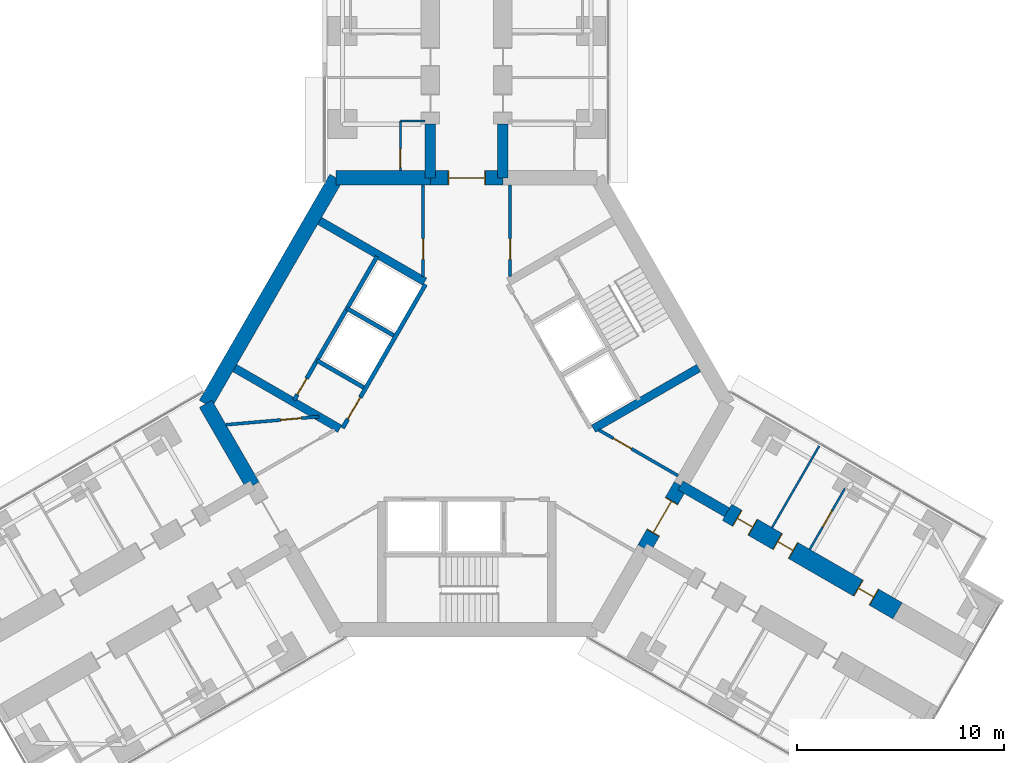
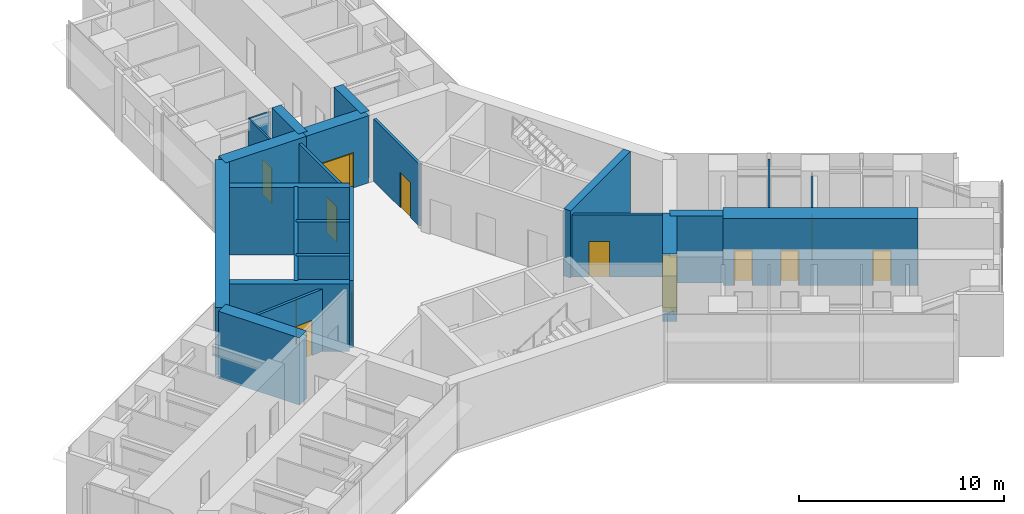
# One storey, part 21 of 25: 24 walls, 13 doors, 13 openings.
"""IFC4 building model written with IfcOpenShell, lengths in metres."""

from ifc_helpers import new_model, si_unit, direction, frame, frame_2d, origin, place, context, subcontext, project, spatial, rectangle, extrude, material, layer, layer_set, type_object, element, fill, save


model = new_model("IFC4")

# Units and contexts
model_context = context("Model", 3, precision=1e-05, world=origin(), true_north=direction((0.0, 1.0)))
body_context = subcontext(model_context, "Body", "Model", "MODEL_VIEW")
ifc_project = project(units=[si_unit("LENGTHUNIT", "METRE"), si_unit("AREAUNIT", "SQUARE_METRE"), si_unit("VOLUMEUNIT", "CUBIC_METRE"), si_unit("PLANEANGLEUNIT", "RADIAN"), si_unit("MASSUNIT", "GRAM", prefix="KILO")], contexts=[model_context])

# Site, building, storey
site_placement = place(None, origin())
site = spatial("IfcSite", under=ifc_project, at=site_placement, CompositionType="ELEMENT")
building_placement = place(site_placement, origin())
building = spatial("IfcBuilding", under=site, at=building_placement, Name="Upepo Twin Towers", CompositionType="ELEMENT")
storey_placement = place(building_placement, frame((0.0, 0.0, 88.5)))
storey = spatial("IfcBuildingStorey", under=building, at=storey_placement, Name="L21", CompositionType="ELEMENT", Elevation=88.5)

# Walls
ifc_material_1 = material(Name="Concrete C60/75", Category="concrete")
ifc_layer_1 = layer(ifc_material_1, 0.5)
ifc_layer_set_1 = layer_set([ifc_layer_1], Name="Concrete C60/75")
wall_type_1 = type_object("IfcWallType", Name="Buttress wall 500 RC", PredefinedType="SHEAR", material=ifc_layer_set_1)
for number, where, z_axis, x_axis, name in (
    (1, (56.75, -7.091552734375, 0.0), (0.0, 0.0, 1.0), (0.0, 1.0, 0.0), "T2 wing A buttress wall L"),
    (2, (60.25, -7.091552734375, 0.0), (0.0, 0.0, 1.0), (0.0, 1.0, 0.0), "T2 wing A buttress wall R"),
):
    element("IfcWall", number, at=place(storey_placement, frame(where, z_axis=z_axis, x_axis=x_axis)), inside=storey, type_object=wall_type_1, Name=name, PredefinedType="SHEAR", context=body_context, shape_type="SweptSolid", body=[
        extrude(rectangle(XDim=2.591552734375, YDim=0.5, at=frame_2d((1.2958984375, 0.0))), origin(), (0.0, 0.0, 1.0), 4.0),
    ])
wall_1_placement = place(storey_placement, frame((68.82177734375, -21.938720703125, 0.0), z_axis=(0.0, 0.0, 1.0), x_axis=(0.866072649678, -0.499918158782, 0.0)))
element("IfcWall", 3, at=wall_1_placement, inside=storey, type_object=wall_type_1, Name="T2 wing C buttress wall L", PredefinedType="SHEAR", context=body_context, shape_type="SweptSolid", body=[
    extrude(rectangle(XDim=2.591796875, YDim=0.5, at=frame_2d((1.2958984375, 0.0))), origin(), (0.0, 0.0, 1.0), 4.0),
])

# Wall, openings, doors
ifc_material_2 = material(Name="Concrete C60/75", Category="concrete")
ifc_layer_2 = layer(ifc_material_2, 0.89990234375)
ifc_layer_set_2 = layer_set([ifc_layer_2], Name="Concrete C60/75")
wall_type_2 = type_object("IfcWallType", Name="Buttress wall 900 RC", PredefinedType="SHEAR", material=ifc_layer_set_2)
wall_2_placement = place(storey_placement, frame((71.06640625, -23.234375, 0.0), z_axis=(0.0, 0.0, 1.0), x_axis=(0.86602681393, -0.499997557548, 0.0)))
wall_2 = element("IfcWall", 4, at=wall_2_placement, inside=storey, type_object=wall_type_2, Name="T2 wing C buttress wall L part 2", PredefinedType="SHEAR", context=body_context, shape_type="SweptSolid", body=[
    extrude(rectangle(XDim=9.5, YDim=0.89990234375, at=frame_2d((4.75, 0.0))), origin(), (0.0, 0.0, 1.0), 4.0),
])
opening_1_placement = place(wall_2_placement, frame((0.550048828125, 0.0, 0.0)))
opening_1 = element("IfcOpeningElement", 5, at=opening_1_placement, cuts=wall_2, Name="Opening D14", PredefinedType="OPENING", context=body_context, shape_type="SweptSolid", body=[
    extrude(rectangle(XDim=0.89990234375, YDim=2.10009765625, at=frame_2d((0.449951171875, 1.050048828125))), frame((0.0, 0.4599609375, 0.0), z_axis=(0.0, -1.0, 0.0), x_axis=(1.0, 0.0, 0.0)), (0.0, 0.0, 1.0), 0.919921875),
])
opening_2_placement = place(wall_2_placement, frame((2.800048828125, 0.0, 0.0)))
opening_2 = element("IfcOpeningElement", 6, at=opening_2_placement, cuts=wall_2, Name="Opening D14", PredefinedType="OPENING", context=body_context, shape_type="SweptSolid", body=[
    extrude(rectangle(XDim=0.89990234375, YDim=2.10009765625, at=frame_2d((0.449951171875, 1.050048828125))), frame((0.0, 0.4599609375, 0.0), z_axis=(0.0, -1.0, 0.0), x_axis=(1.0, 0.0, 0.0)), (0.0, 0.0, 1.0), 0.919921875),
])
opening_3_placement = place(wall_2_placement, frame((7.300048828125, 0.0, 0.0)))
opening_3 = element("IfcOpeningElement", 7, at=opening_3_placement, cuts=wall_2, Name="Opening D14", PredefinedType="OPENING", context=body_context, shape_type="SweptSolid", body=[
    extrude(rectangle(XDim=0.89990234375, YDim=2.10009765625, at=frame_2d((0.449951171875, 1.050048828125))), frame((0.0, 0.4599609375, 0.0), z_axis=(0.0, -1.0, 0.0), x_axis=(1.0, 0.0, 0.0)), (0.0, 0.0, 1.0), 0.919921875),
])
ifc_material_3 = material(Name="Timber doorset", Category="wood")
door_type_1 = type_object("IfcDoorType", Name="Office door 900 FD30", OperationType="SINGLE_SWING_LEFT", PredefinedType="DOOR", material=ifc_material_3)
door_1_placement = place(opening_1_placement, origin())
door_1 = element("IfcDoor", 8, at=door_1_placement, inside=storey, type_object=door_type_1, Name="T2 L21 staff office door", OperationType="SINGLE_SWING_LEFT", OverallHeight=2.10009765625, OverallWidth=0.89990234375, PredefinedType="DOOR", context=body_context, shape_type="SweptSolid", body=[
    extrude(rectangle(XDim=0.81990234375, YDim=2.06009765625, at=frame_2d((0.449951171875, 1.030029296875))), frame((0.0, 0.02490234375, 0.0), z_axis=(0.0, -1.0, 0.0), x_axis=(1.0, 0.0, 0.0)), (0.0, 0.0, 1.0), 0.050048828125),
    extrude(rectangle(XDim=0.04, YDim=2.10009765625, at=frame_2d((0.02001953125, 1.050048828125))), frame((0.0, 0.44970703125, 0.0), z_axis=(0.0, -1.0, 0.0), x_axis=(1.0, 0.0, 0.0)), (0.0, 0.0, 1.0), 0.8994140625),
    extrude(rectangle(XDim=0.04, YDim=2.10009765625, at=frame_2d((0.8798828125, 1.050048828125))), frame((0.0, 0.44970703125, 0.0), z_axis=(0.0, -1.0, 0.0), x_axis=(1.0, 0.0, 0.0)), (0.0, 0.0, 1.0), 0.8994140625),
    extrude(rectangle(XDim=0.81990234375, YDim=0.04, at=frame_2d((0.449951171875, 2.080078125))), frame((0.0, 0.44970703125, 0.0), z_axis=(0.0, -1.0, 0.0), x_axis=(1.0, 0.0, 0.0)), (0.0, 0.0, 1.0), 0.8994140625),
])
fill(opening_1, door_1)
door_2_placement = place(opening_2_placement, origin())
door_2 = element("IfcDoor", 9, at=door_2_placement, inside=storey, type_object=door_type_1, Name="T2 L21 postgraduate office door", OperationType="SINGLE_SWING_LEFT", OverallHeight=2.10009765625, OverallWidth=0.89990234375, PredefinedType="DOOR", context=body_context, shape_type="SweptSolid", body=[
    extrude(rectangle(XDim=0.81990234375, YDim=2.06009765625, at=frame_2d((0.449951171875, 1.030029296875))), frame((0.0, 0.02490234375, 0.0), z_axis=(0.0, -1.0, 0.0), x_axis=(1.0, 0.0, 0.0)), (0.0, 0.0, 1.0), 0.050048828125),
    extrude(rectangle(XDim=0.04, YDim=2.10009765625, at=frame_2d((0.02001953125, 1.050048828125))), frame((0.0, 0.44970703125, 0.0), z_axis=(0.0, -1.0, 0.0), x_axis=(1.0, 0.0, 0.0)), (0.0, 0.0, 1.0), 0.8994140625),
    extrude(rectangle(XDim=0.04, YDim=2.10009765625, at=frame_2d((0.8798828125, 1.050048828125))), frame((0.0, 0.44970703125, 0.0), z_axis=(0.0, -1.0, 0.0), x_axis=(1.0, 0.0, 0.0)), (0.0, 0.0, 1.0), 0.8994140625),
    extrude(rectangle(XDim=0.81990234375, YDim=0.04, at=frame_2d((0.449951171875, 2.080078125))), frame((0.0, 0.44970703125, 0.0), z_axis=(0.0, -1.0, 0.0), x_axis=(1.0, 0.0, 0.0)), (0.0, 0.0, 1.0), 0.8994140625),
])
fill(opening_2, door_2)
door_3_placement = place(opening_3_placement, origin())
door_3 = element("IfcDoor", 10, at=door_3_placement, inside=storey, type_object=door_type_1, Name="T2 L21 staff office door", OperationType="SINGLE_SWING_RIGHT", OverallHeight=2.10009765625, OverallWidth=0.89990234375, PredefinedType="DOOR", context=body_context, shape_type="SweptSolid", body=[
    extrude(rectangle(XDim=0.81990234375, YDim=2.06009765625, at=frame_2d((0.449951171875, 1.030029296875))), frame((0.0, 0.02490234375, 0.0), z_axis=(0.0, -1.0, 0.0), x_axis=(1.0, 0.0, 0.0)), (0.0, 0.0, 1.0), 0.050048828125),
    extrude(rectangle(XDim=0.04, YDim=2.10009765625, at=frame_2d((0.02001953125, 1.050048828125))), frame((0.0, 0.44970703125, 0.0), z_axis=(0.0, -1.0, 0.0), x_axis=(1.0, 0.0, 0.0)), (0.0, 0.0, 1.0), 0.8994140625),
    extrude(rectangle(XDim=0.04, YDim=2.10009765625, at=frame_2d((0.8798828125, 1.050048828125))), frame((0.0, 0.44970703125, 0.0), z_axis=(0.0, -1.0, 0.0), x_axis=(1.0, 0.0, 0.0)), (0.0, 0.0, 1.0), 0.8994140625),
    extrude(rectangle(XDim=0.81990234375, YDim=0.04, at=frame_2d((0.449951171875, 2.080078125))), frame((0.0, 0.44970703125, 0.0), z_axis=(0.0, -1.0, 0.0), x_axis=(1.0, 0.0, 0.0)), (0.0, 0.0, 1.0), 0.8994140625),
])
fill(opening_3, door_3)

# Wall, opening, door
ifc_material_4 = material(Name="Concrete C60/75", Category="concrete")
ifc_layer_3 = layer(ifc_material_4, 0.699951171875)
ifc_layer_set_3 = layer_set([ifc_layer_3], Name="Concrete C60/75")
wall_type_3 = type_object("IfcWallType", Name="Core wall 700 RC", PredefinedType="SHEAR", material=ifc_layer_set_3)
wall_3_placement = place(storey_placement, frame((60.25, -7.091552734375, 0.0), z_axis=(0.0, 0.0, 1.0), x_axis=(-1.0, 0.0, 0.0)))
wall_3 = element("IfcWall", 11, at=wall_3_placement, inside=storey, type_object=wall_type_3, Name="T2 core wall 000", PredefinedType="SHEAR", context=body_context, shape_type="SweptSolid", body=[
    extrude(rectangle(XDim=3.5, YDim=0.699951171875, at=frame_2d((1.75, 0.0))), origin(), (0.0, 0.0, 1.0), 4.0),
])
opening_4_placement = place(wall_3_placement, frame((0.85009765625, 0.0, 0.0)))
opening_4 = element("IfcOpeningElement", 12, at=opening_4_placement, cuts=wall_3, Name="Opening D2", PredefinedType="OPENING", context=body_context, shape_type="SweptSolid", body=[
    extrude(rectangle(XDim=1.800048828125, YDim=2.10009765625, at=frame_2d((0.89990234375, 1.050048828125))), frame((0.0, 0.35986328125, 0.0), z_axis=(0.0, -1.0, 0.0), x_axis=(1.0, 0.0, 0.0)), (0.0, 0.0, 1.0), 0.719970703125),
])
ifc_material_5 = material(Name="Timber doorset", Category="wood")
door_type_2 = type_object("IfcDoorType", Name="Corridor double door 1800 FD60", OperationType="DOUBLE_DOOR_DOUBLE_SWING", PredefinedType="DOOR", material=ifc_material_5)
door_4_placement = place(opening_4_placement, origin())
door_4 = element("IfcDoor", 13, at=door_4_placement, inside=storey, type_object=door_type_2, Name="T2 L21 wing A corridor door", OperationType="DOUBLE_DOOR_DOUBLE_SWING", OverallHeight=2.10009765625, OverallWidth=1.800048828125, PredefinedType="DOOR", context=body_context, shape_type="SweptSolid", body=[
    extrude(rectangle(XDim=1.720048828125, YDim=2.06009765625, at=frame_2d((0.89990234375, 1.030029296875))), frame((0.0, 0.02490234375, 0.0), z_axis=(0.0, -1.0, 0.0), x_axis=(1.0, 0.0, 0.0)), (0.0, 0.0, 1.0), 0.050048828125),
    extrude(rectangle(XDim=0.04, YDim=2.10009765625, at=frame_2d((0.02001953125, 1.050048828125))), frame((0.0, 0.349609375, 0.0), z_axis=(0.0, -1.0, 0.0), x_axis=(1.0, 0.0, 0.0)), (0.0, 0.0, 1.0), 0.699462890625),
    extrude(rectangle(XDim=0.04, YDim=2.10009765625, at=frame_2d((1.780029296875, 1.050048828125))), frame((0.0, 0.349609375, 0.0), z_axis=(0.0, -1.0, 0.0), x_axis=(1.0, 0.0, 0.0)), (0.0, 0.0, 1.0), 0.699462890625),
    extrude(rectangle(XDim=1.720048828125, YDim=0.04, at=frame_2d((0.89990234375, 2.080078125))), frame((0.0, 0.349609375, 0.0), z_axis=(0.0, -1.0, 0.0), x_axis=(1.0, 0.0, 0.0)), (0.0, 0.0, 1.0), 0.699462890625),
])
fill(opening_4, door_4)

# Walls
wall_4_placement = place(storey_placement, frame((56.75, -7.091552734375, 0.0), z_axis=(0.0, 0.0, 1.0), x_axis=(-1.0, 0.0, 0.0)))
element("IfcWall", 14, at=wall_4_placement, inside=storey, type_object=wall_type_3, Name="T2 core wall 000 L", PredefinedType="SHEAR", context=body_context, shape_type="SweptSolid", body=[
    extrude(rectangle(XDim=4.5478515625, YDim=0.699951171875, at=frame_2d((2.27392578125, 0.0))), origin(), (0.0, 0.0, 1.0), 4.0),
])
wall_5_placement = place(storey_placement, frame((52.2021484375, -7.091552734375, 0.0), z_axis=(0.0, 0.0, 1.0), x_axis=(-0.500005998175, -0.866021940709, 0.0)))
element("IfcWall", 15, at=wall_5_placement, inside=storey, type_object=wall_type_3, Name="T2 core wall 060", PredefinedType="SHEAR", context=body_context, shape_type="SweptSolid", body=[
    extrude(rectangle(XDim=12.595947265625, YDim=0.699951171875, at=frame_2d((6.2978515625, 0.0))), origin(), (0.0, 0.0, 1.0), 4.0),
])
wall_6_placement = place(storey_placement, frame((45.904052734375, -18.0, 0.0), z_axis=(0.0, 0.0, 1.0), x_axis=(0.500024481964, -0.866011268655, 0.0)))
element("IfcWall", 16, at=wall_6_placement, inside=storey, type_object=wall_type_3, Name="T2 core wall 120 R", PredefinedType="SHEAR", context=body_context, shape_type="SweptSolid", body=[
    extrude(rectangle(XDim=4.548095703125, YDim=0.699951171875, at=frame_2d((2.27392578125, 0.0))), origin(), (0.0, 0.0, 1.0), 4.0),
])

# Wall, opening, door
wall_7_placement = place(storey_placement, frame((67.07177734375, -24.9697265625, 0.0), z_axis=(0.0, 0.0, 1.0), x_axis=(0.500010275428, 0.866019471182, 0.0)))
wall_7 = element("IfcWall", 17, at=wall_7_placement, inside=storey, type_object=wall_type_3, Name="T2 core wall 240", PredefinedType="SHEAR", context=body_context, shape_type="SweptSolid", body=[
    extrude(rectangle(XDim=3.5, YDim=0.699951171875, at=frame_2d((1.75, 0.0))), origin(), (0.0, 0.0, 1.0), 4.0),
])
opening_5_placement = place(wall_7_placement, frame((0.85009765625, 0.0, 0.0)))
opening_5 = element("IfcOpeningElement", 18, at=opening_5_placement, cuts=wall_7, Name="Opening D2", PredefinedType="OPENING", context=body_context, shape_type="SweptSolid", body=[
    extrude(rectangle(XDim=1.800048828125, YDim=2.10009765625, at=frame_2d((0.89990234375, 1.050048828125))), frame((0.0, 0.35986328125, 0.0), z_axis=(0.0, -1.0, 0.0), x_axis=(1.0, 0.0, 0.0)), (0.0, 0.0, 1.0), 0.719970703125),
])
door_5_placement = place(opening_5_placement, origin())
door_5 = element("IfcDoor", 19, at=door_5_placement, inside=storey, type_object=door_type_2, Name="T2 L21 wing C corridor door", OperationType="DOUBLE_DOOR_DOUBLE_SWING", OverallHeight=2.10009765625, OverallWidth=1.800048828125, PredefinedType="DOOR", context=body_context, shape_type="SweptSolid", body=[
    extrude(rectangle(XDim=1.720048828125, YDim=2.06009765625, at=frame_2d((0.89990234375, 1.030029296875))), frame((0.0, 0.02490234375, 0.0), z_axis=(0.0, -1.0, 0.0), x_axis=(1.0, 0.0, 0.0)), (0.0, 0.0, 1.0), 0.050048828125),
    extrude(rectangle(XDim=0.04, YDim=2.10009765625, at=frame_2d((0.02001953125, 1.050048828125))), frame((0.0, 0.349609375, 0.0), z_axis=(0.0, -1.0, 0.0), x_axis=(1.0, 0.0, 0.0)), (0.0, 0.0, 1.0), 0.699462890625),
    extrude(rectangle(XDim=0.04, YDim=2.10009765625, at=frame_2d((1.780029296875, 1.050048828125))), frame((0.0, 0.349609375, 0.0), z_axis=(0.0, -1.0, 0.0), x_axis=(1.0, 0.0, 0.0)), (0.0, 0.0, 1.0), 0.699462890625),
    extrude(rectangle(XDim=1.720048828125, YDim=0.04, at=frame_2d((0.89990234375, 2.080078125))), frame((0.0, 0.349609375, 0.0), z_axis=(0.0, -1.0, 0.0), x_axis=(1.0, 0.0, 0.0)), (0.0, 0.0, 1.0), 0.699462890625),
])
fill(opening_5, door_5)

ifc_material_6 = material(Name="Gypsum board on steel studs", Category="steel")
ifc_layer_4 = layer(ifc_material_6, 0.10009765625)
ifc_layer_set_4 = layer_set([ifc_layer_4], Name="Office partition 100 stud")
wall_type_4 = type_object("IfcWallType", Name="Office partition 100 stud", PredefinedType="PARTITIONING", material=ifc_layer_set_4)
wall_8_placement = place(storey_placement, frame((55.300048828125, -6.741943359375, 0.0), z_axis=(0.0, 0.0, 1.0), x_axis=(0.0, 1.0, 0.0)))
wall_8 = element("IfcWall", 20, at=wall_8_placement, inside=storey, type_object=wall_type_4, Name="T2 WC bay partition AL at 11.26", PredefinedType="PARTITIONING", context=body_context, shape_type="SweptSolid", body=[
    extrude(rectangle(XDim=2.39990234375, YDim=0.10009765625, at=frame_2d((1.199951171875, 0.0))), origin(), (0.0, 0.0, 1.0), 3.699951171875),
])
opening_6_placement = place(wall_8_placement, frame((0.14990234375, 0.0, 0.0)))
opening_6 = element("IfcOpeningElement", 21, at=opening_6_placement, cuts=wall_8, Name="Opening D14", PredefinedType="OPENING", context=body_context, shape_type="SweptSolid", body=[
    extrude(rectangle(XDim=0.89990234375, YDim=2.10009765625, at=frame_2d((0.449951171875, 1.050048828125))), frame((0.0, 0.06005859375, 0.0), z_axis=(0.0, -1.0, 0.0), x_axis=(1.0, 0.0, 0.0)), (0.0, 0.0, 1.0), 0.1201171875),
])
door_6_placement = place(opening_6_placement, origin())
door_6 = element("IfcDoor", 22, at=door_6_placement, inside=storey, type_object=door_type_1, Name="T2 L21 WC bay inner room door", OperationType="SINGLE_SWING_LEFT", OverallHeight=2.10009765625, OverallWidth=0.89990234375, PredefinedType="DOOR", context=body_context, shape_type="SweptSolid", body=[
    extrude(rectangle(XDim=0.89990234375, YDim=2.10009765625, at=frame_2d((0.449951171875, 1.050048828125))), frame((0.0, 0.02490234375, 0.0), z_axis=(0.0, -1.0, 0.0), x_axis=(1.0, 0.0, 0.0)), (0.0, 0.0, 1.0), 0.050048828125),
])
fill(opening_6, door_6)

# Walls
wall_9_placement = place(storey_placement, frame((56.5, -4.342041015625, 0.0), z_axis=(0.0, 0.0, 1.0), x_axis=(-1.0, 0.0, 0.0)))
element("IfcWall", 23, at=wall_9_placement, inside=storey, type_object=wall_type_4, Name="T2 WC bay partition AL end at 13.66", PredefinedType="PARTITIONING", context=body_context, shape_type="SweptSolid", body=[
    extrude(rectangle(XDim=1.199951171875, YDim=0.10009765625, at=frame_2d((0.60009765625, 0.0))), origin(), (0.0, 0.0, 1.0), 3.699951171875),
])
wall_10_placement = place(storey_placement, frame((73.239990234375, -23.9697265625, 0.0), z_axis=(0.0, 0.0, 1.0), x_axis=(0.499982560684, 0.866035472144, 0.0)))
element("IfcWall", 24, at=wall_10_placement, inside=storey, type_object=wall_type_4, Name="T2 partition CL at 15.75", PredefinedType="PARTITIONING", context=body_context, shape_type="SweptSolid", body=[
    extrude(rectangle(XDim=4.550048828125, YDim=0.10009765625, at=frame_2d((2.27490234375, 0.0))), origin(), (0.0, 0.0, 1.0), 3.699951171875),
])

# Wall, opening, door
wall_11_placement = place(storey_placement, frame((75.05859375, -25.019775390625, 0.0), z_axis=(0.0, 0.0, 1.0), x_axis=(0.499977295307, 0.866038511948, 0.0)))
wall_11 = element("IfcWall", 25, at=wall_11_placement, inside=storey, type_object=wall_type_4, Name="T2 inner room partition CL end at 17.85", PredefinedType="PARTITIONING", context=body_context, shape_type="SweptSolid", body=[
    extrude(rectangle(XDim=3.400146484375, YDim=0.10009765625, at=frame_2d((1.7001953125, 0.0))), origin(), (0.0, 0.0, 1.0), 3.699951171875),
])
opening_7_placement = place(wall_11_placement, frame((1.25, 0.0, 0.0)))
opening_7 = element("IfcOpeningElement", 26, at=opening_7_placement, cuts=wall_11, Name="Opening D14", PredefinedType="OPENING", context=body_context, shape_type="SweptSolid", body=[
    extrude(rectangle(XDim=0.89990234375, YDim=2.10009765625, at=frame_2d((0.449951171875, 1.050048828125))), frame((0.0, 0.06005859375, 0.0), z_axis=(0.0, -1.0, 0.0), x_axis=(1.0, 0.0, 0.0)), (0.0, 0.0, 1.0), 0.1201171875),
])
door_7_placement = place(opening_7_placement, origin())
door_7 = element("IfcDoor", 27, at=door_7_placement, inside=storey, type_object=door_type_1, Name="T2 L21 inner room door", OperationType="SINGLE_SWING_LEFT", OverallHeight=2.10009765625, OverallWidth=0.89990234375, PredefinedType="DOOR", context=body_context, shape_type="SweptSolid", body=[
    extrude(rectangle(XDim=0.89990234375, YDim=2.10009765625, at=frame_2d((0.449951171875, 1.050048828125))), frame((0.0, 0.02490234375, 0.0), z_axis=(0.0, -1.0, 0.0), x_axis=(1.0, 0.0, 0.0)), (0.0, 0.0, 1.0), 0.050048828125),
])
fill(opening_7, door_7)

ifc_material_7 = material(Name="Concrete C40/50", Category="concrete")
ifc_layer_5 = layer(ifc_material_7, 0.199951171875)
ifc_layer_set_5 = layer_set([ifc_layer_5], Name="Concrete C40/50")
wall_type_5 = type_object("IfcWallType", Name="Shaft wall 200 RC", PredefinedType="SHEAR", material=ifc_layer_set_5)
wall_12_placement = place(storey_placement, frame((56.516357421875, -12.23583984375, 0.0), z_axis=(0.0, 0.0, 1.0), x_axis=(-0.49999894854, -0.866026010844, 0.0)))
wall_12 = element("IfcWall", 28, at=wall_12_placement, inside=storey, type_object=wall_type_5, Name="T2 core W60 front wall", PredefinedType="SHEAR", context=body_context, shape_type="SweptSolid", body=[
    extrude(rectangle(XDim=8.0, YDim=0.199951171875, at=frame_2d((4.0, 0.0))), origin(), (0.0, 0.0, 1.0), 4.0),
])
opening_8_placement = place(wall_12_placement, frame((6.300048828125, 0.0, 0.0)))
opening_8 = element("IfcOpeningElement", 29, at=opening_8_placement, cuts=wall_12, Name="Opening D4", PredefinedType="OPENING", context=body_context, shape_type="SweptSolid", body=[
    extrude(rectangle(XDim=1.199951171875, YDim=2.10009765625, at=frame_2d((0.60009765625, 1.050048828125))), frame((0.0, 0.10986328125, 0.0), z_axis=(0.0, -1.0, 0.0), x_axis=(1.0, 0.0, 0.0)), (0.0, 0.0, 1.0), 0.219970703125),
])
ifc_material_8 = material(Name="Timber doorset", Category="wood")
door_type_3 = type_object("IfcDoorType", Name="Lobby door 1200 FD60", OperationType="SINGLE_SWING_LEFT", PredefinedType="DOOR", material=ifc_material_8)
door_8_placement = place(opening_8_placement, origin())
door_8 = element("IfcDoor", 30, at=door_8_placement, inside=storey, type_object=door_type_3, Name="T2 L21 W60 lobby door", OperationType="SINGLE_SWING_RIGHT", OverallHeight=2.10009765625, OverallWidth=1.199951171875, PredefinedType="DOOR", context=body_context, shape_type="SweptSolid", body=[
    extrude(rectangle(XDim=1.199951171875, YDim=2.10009765625, at=frame_2d((0.60009765625, 1.050048828125))), frame((0.0, 0.02490234375, 0.0), z_axis=(0.0, -1.0, 0.0), x_axis=(1.0, 0.0, 0.0)), (0.0, 0.0, 1.0), 0.050048828125),
])
fill(opening_8, door_8)

# Walls
for number, where, z_axis, x_axis, name in (
    (31, (54.979736328125, -14.697265625, 0.0), (0.0, 0.0, 1.0), (-0.866062058628, 0.499936506574, 0.0), "T2 core W60 shaft divider"),
    (32, (53.52978515625, -17.208740234375, 0.0), (0.0, 0.0, 1.0), (-0.866062058628, 0.499936506574, 0.0), "T2 core W60 lobby wall"),
):
    element("IfcWall", number, at=place(storey_placement, frame(where, z_axis=z_axis, x_axis=x_axis)), inside=storey, type_object=wall_type_5, Name=name, PredefinedType="SHEAR", context=body_context, shape_type="SweptSolid", body=[
        extrude(rectangle(XDim=2.599853515625, YDim=0.199951171875, at=frame_2d((1.2998046875, 0.0))), origin(), (0.0, 0.0, 1.0), 4.0),
    ])

# Wall, opening, door
wall_13_placement = place(storey_placement, frame((54.177978515625, -10.885986328125, 0.0), z_axis=(0.0, 0.0, 1.0), x_axis=(-0.49999894854, -0.866026010844, 0.0)))
wall_13 = element("IfcWall", 33, at=wall_13_placement, inside=storey, type_object=wall_type_5, Name="T2 core W60 stair wall", PredefinedType="SHEAR", context=body_context, shape_type="SweptSolid", body=[
    extrude(rectangle(XDim=8.0, YDim=0.199951171875, at=frame_2d((4.0, 0.0))), origin(), (0.0, 0.0, 1.0), 4.0),
])
opening_9_placement = place(wall_13_placement, frame((6.800048828125, 0.0, 0.0)))
opening_9 = element("IfcOpeningElement", 34, at=opening_9_placement, cuts=wall_13, Name="Opening D9", PredefinedType="OPENING", context=body_context, shape_type="SweptSolid", body=[
    extrude(rectangle(XDim=0.89990234375, YDim=2.10009765625, at=frame_2d((0.449951171875, 1.050048828125))), frame((0.0, 0.10986328125, 0.0), z_axis=(0.0, -1.0, 0.0), x_axis=(1.0, 0.0, 0.0)), (0.0, 0.0, 1.0), 0.219970703125),
])
ifc_material_9 = material(Name="Timber doorset", Category="wood")
door_type_4 = type_object("IfcDoorType", Name="Riser door 900 FD60", OperationType="SINGLE_SWING_LEFT", PredefinedType="DOOR", material=ifc_material_9)
door_9_placement = place(opening_9_placement, origin())
door_9 = element("IfcDoor", 35, at=door_9_placement, inside=storey, type_object=door_type_4, Name="T2 L21 riser door", OperationType="SINGLE_SWING_RIGHT", OverallHeight=2.10009765625, OverallWidth=0.89990234375, PredefinedType="DOOR", context=body_context, shape_type="SweptSolid", body=[
    extrude(rectangle(XDim=0.89990234375, YDim=2.10009765625, at=frame_2d((0.449951171875, 1.050048828125))), frame((0.0, 0.02490234375, 0.0), z_axis=(0.0, -1.0, 0.0), x_axis=(1.0, 0.0, 0.0)), (0.0, 0.0, 1.0), 0.050048828125),
])
fill(opening_9, door_9)

# Walls
ifc_material_10 = material(Name="Concrete C40/50", Category="concrete")
ifc_layer_6 = layer(ifc_material_10, 0.39990234375)
ifc_layer_set_6 = layer_set([ifc_layer_6], Name="Concrete C40/50")
wall_type_6 = type_object("IfcWallType", Name="Shaft wall 400 RC", PredefinedType="SHEAR", material=ifc_layer_set_6)
for number, where, z_axis, x_axis, name in (
    (36, (52.379638671875, -19.20068359375, 0.0), (0.0, 0.0, 1.0), (-0.866023886965, 0.500002627198, 0.0), "T2 core W60 side wall N"),
    (37, (56.479736328125, -12.099365234375, 0.0), (0.0, 0.0, 1.0), (-0.866023886965, 0.500002627198, 0.0), "T2 core W60 side wall S"),
    (38, (64.620361328125, -19.20068359375, 0.0), (0.0, 0.0, 1.0), (0.866023886965, 0.500002627198, 0.0), "T2 core W300 side wall S"),
):
    element("IfcWall", number, at=place(storey_placement, frame(where, z_axis=z_axis, x_axis=x_axis)), inside=storey, type_object=wall_type_6, Name=name, PredefinedType="SHEAR", context=body_context, shape_type="SweptSolid", body=[
        extrude(rectangle(XDim=5.8583984375, YDim=0.39990234375, at=frame_2d((2.92919921875, 0.0))), origin(), (0.0, 0.0, 1.0), 4.0),
    ])

# Wall, opening, door
ifc_material_11 = material(Name="Gypsum board on steel studs", Category="steel")
ifc_layer_7 = layer(ifc_material_11, 0.14990234375)
ifc_layer_set_7 = layer_set([ifc_layer_7], Name="Teaching partition 150 acoustic")
wall_type_7 = type_object("IfcWallType", Name="Teaching partition 150 acoustic", PredefinedType="PARTITIONING", material=ifc_layer_set_7)
wall_14_placement = place(storey_placement, frame((56.39990234375, -11.857421875, 0.0), z_axis=(0.0, 0.0, 1.0), x_axis=(0.0, 1.0, 0.0)))
wall_14 = element("IfcWall", 39, at=wall_14_placement, inside=storey, type_object=wall_type_7, Name="T2 core room partition 2", PredefinedType="PARTITIONING", context=body_context, shape_type="SweptSolid", body=[
    extrude(rectangle(XDim=4.42578125, YDim=0.14990234375, at=frame_2d((2.212890625, 0.0))), origin(), (0.0, 0.0, 1.0), 3.699951171875),
])
opening_10_placement = place(wall_14_placement, frame((0.82763671875, 0.0, 0.0)))
opening_10 = element("IfcOpeningElement", 40, at=opening_10_placement, cuts=wall_14, Name="Opening D1", PredefinedType="OPENING", context=body_context, shape_type="SweptSolid", body=[
    extrude(rectangle(XDim=1.0, YDim=2.10009765625, at=frame_2d((0.5, 1.050048828125))), frame((0.0, 0.0849609375, 0.0), z_axis=(0.0, -1.0, 0.0), x_axis=(1.0, 0.0, 0.0)), (0.0, 0.0, 1.0), 0.169921875),
])
ifc_material_12 = material(Name="Timber doorset", Category="wood")
door_type_5 = type_object("IfcDoorType", Name="Room door 1000 FD30", OperationType="SINGLE_SWING_LEFT", PredefinedType="DOOR", material=ifc_material_12)
door_10_placement = place(opening_10_placement, origin())
door_10 = element("IfcDoor", 41, at=door_10_placement, inside=storey, type_object=door_type_5, Name="T2 L21 core room door K7", OperationType="SINGLE_SWING_LEFT", OverallHeight=2.10009765625, OverallWidth=1.0, PredefinedType="DOOR", context=body_context, shape_type="SweptSolid", body=[
    extrude(rectangle(XDim=1.0, YDim=2.10009765625, at=frame_2d((0.5, 1.050048828125))), frame((0.0, 0.02490234375, 0.0), z_axis=(0.0, -1.0, 0.0), x_axis=(1.0, 0.0, 0.0)), (0.0, 0.0, 1.0), 0.050048828125),
])
fill(opening_10, door_10)

wall_15_placement = place(storey_placement, frame((60.60009765625, -7.431640625, 0.0), z_axis=(0.0, 0.0, 1.0), x_axis=(0.0, -1.0, 0.0)))
wall_15 = element("IfcWall", 42, at=wall_15_placement, inside=storey, type_object=wall_type_7, Name="T2 core room partition 3", PredefinedType="PARTITIONING", context=body_context, shape_type="SweptSolid", body=[
    extrude(rectangle(XDim=4.42578125, YDim=0.14990234375, at=frame_2d((2.212890625, 0.0))), origin(), (0.0, 0.0, 1.0), 3.699951171875),
])
opening_11_placement = place(wall_15_placement, frame((2.597900390625, 0.0, 0.0)))
opening_11 = element("IfcOpeningElement", 43, at=opening_11_placement, cuts=wall_15, Name="Opening D1", PredefinedType="OPENING", context=body_context, shape_type="SweptSolid", body=[
    extrude(rectangle(XDim=1.0, YDim=2.10009765625, at=frame_2d((0.5, 1.050048828125))), frame((0.0, 0.0849609375, 0.0), z_axis=(0.0, -1.0, 0.0), x_axis=(1.0, 0.0, 0.0)), (0.0, 0.0, 1.0), 0.169921875),
])
door_11_placement = place(opening_11_placement, origin())
door_11 = element("IfcDoor", 44, at=door_11_placement, inside=storey, type_object=door_type_5, Name="T2 L21 core room door K6", OperationType="SINGLE_SWING_RIGHT", OverallHeight=2.10009765625, OverallWidth=1.0, PredefinedType="DOOR", context=body_context, shape_type="SweptSolid", body=[
    extrude(rectangle(XDim=1.0, YDim=2.10009765625, at=frame_2d((0.5, 1.050048828125))), frame((0.0, 0.02490234375, 0.0), z_axis=(0.0, -1.0, 0.0), x_axis=(1.0, 0.0, 0.0)), (0.0, 0.0, 1.0), 0.050048828125),
])
fill(opening_11, door_11)

wall_16_placement = place(storey_placement, frame((64.86962890625, -19.252685546875, 0.0), z_axis=(0.0, 0.0, 1.0), x_axis=(0.866021148949, -0.500007369519, 0.0)))
wall_16 = element("IfcWall", 45, at=wall_16_placement, inside=storey, type_object=wall_type_7, Name="T2 core room partition 4", PredefinedType="PARTITIONING", context=body_context, shape_type="SweptSolid", body=[
    extrude(rectangle(XDim=4.42578125, YDim=0.14990234375, at=frame_2d((2.212890625, 0.0))), origin(), (0.0, 0.0, 1.0), 3.699951171875),
])
opening_12_placement = place(wall_16_placement, frame((0.82763671875, 0.0, 0.0)))
opening_12 = element("IfcOpeningElement", 46, at=opening_12_placement, cuts=wall_16, Name="Opening D1", PredefinedType="OPENING", context=body_context, shape_type="SweptSolid", body=[
    extrude(rectangle(XDim=1.0, YDim=2.10009765625, at=frame_2d((0.5, 1.050048828125))), frame((0.0, 0.0849609375, 0.0), z_axis=(0.0, -1.0, 0.0), x_axis=(1.0, 0.0, 0.0)), (0.0, 0.0, 1.0), 0.169921875),
])
door_12_placement = place(opening_12_placement, origin())
door_12 = element("IfcDoor", 47, at=door_12_placement, inside=storey, type_object=door_type_5, Name="T2 L21 core room door K5", OperationType="SINGLE_SWING_LEFT", OverallHeight=2.10009765625, OverallWidth=1.0, PredefinedType="DOOR", context=body_context, shape_type="SweptSolid", body=[
    extrude(rectangle(XDim=1.0, YDim=2.10009765625, at=frame_2d((0.5, 1.050048828125))), frame((0.0, 0.02490234375, 0.0), z_axis=(0.0, -1.0, 0.0), x_axis=(1.0, 0.0, 0.0)), (0.0, 0.0, 1.0), 0.050048828125),
])
fill(opening_12, door_12)

wall_17_placement = place(storey_placement, frame((51.37060546875, -18.617919921875, 0.0), z_axis=(0.0, 0.0, 1.0), x_axis=(-0.996259708579, -0.086409450071, 0.0)))
wall_17 = element("IfcWall", 48, at=wall_17_placement, inside=storey, type_object=wall_type_7, Name="T2 core room partition 7", PredefinedType="PARTITIONING", context=body_context, shape_type="SweptSolid", body=[
    extrude(rectangle(XDim=4.498046875, YDim=0.14990234375, at=frame_2d((2.2490234375, 0.0))), origin(), (0.0, 0.0, 1.0), 3.699951171875),
])
opening_13_placement = place(wall_17_placement, frame((0.849365234375, 0.0, 0.0)))
opening_13 = element("IfcOpeningElement", 49, at=opening_13_placement, cuts=wall_17, Name="Opening D1", PredefinedType="OPENING", context=body_context, shape_type="SweptSolid", body=[
    extrude(rectangle(XDim=1.0, YDim=2.10009765625, at=frame_2d((0.5, 1.050048828125))), frame((0.0, 0.0849609375, 0.0), z_axis=(0.0, -1.0, 0.0), x_axis=(1.0, 0.0, 0.0)), (0.0, 0.0, 1.0), 0.169921875),
])
door_13_placement = place(opening_13_placement, origin())
door_13 = element("IfcDoor", 50, at=door_13_placement, inside=storey, type_object=door_type_5, Name="T2 L21 core room door K1", OperationType="SINGLE_SWING_LEFT", OverallHeight=2.10009765625, OverallWidth=1.0, PredefinedType="DOOR", context=body_context, shape_type="SweptSolid", body=[
    extrude(rectangle(XDim=1.0, YDim=2.10009765625, at=frame_2d((0.5, 1.050048828125))), frame((0.0, 0.02490234375, 0.0), z_axis=(0.0, -1.0, 0.0), x_axis=(1.0, 0.0, 0.0)), (0.0, 0.0, 1.0), 0.050048828125),
])
fill(opening_13, door_13)

save(model, "model.ifc")
